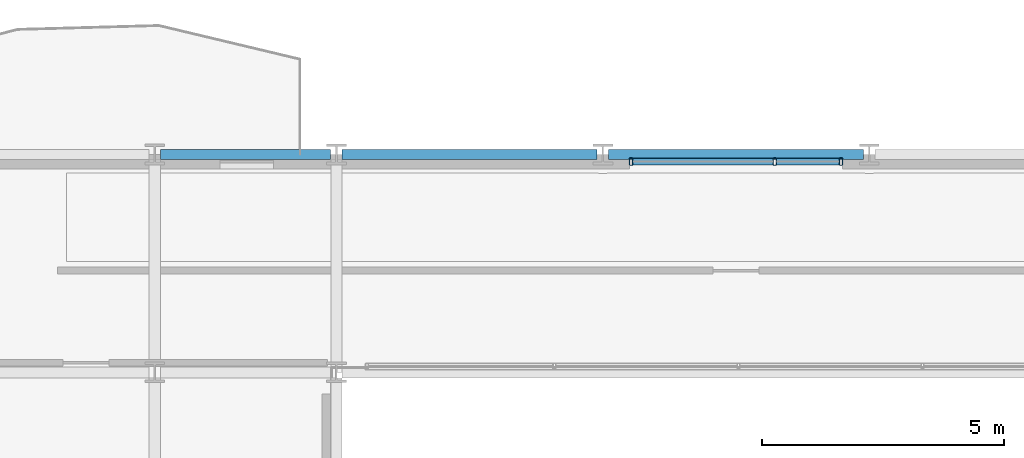
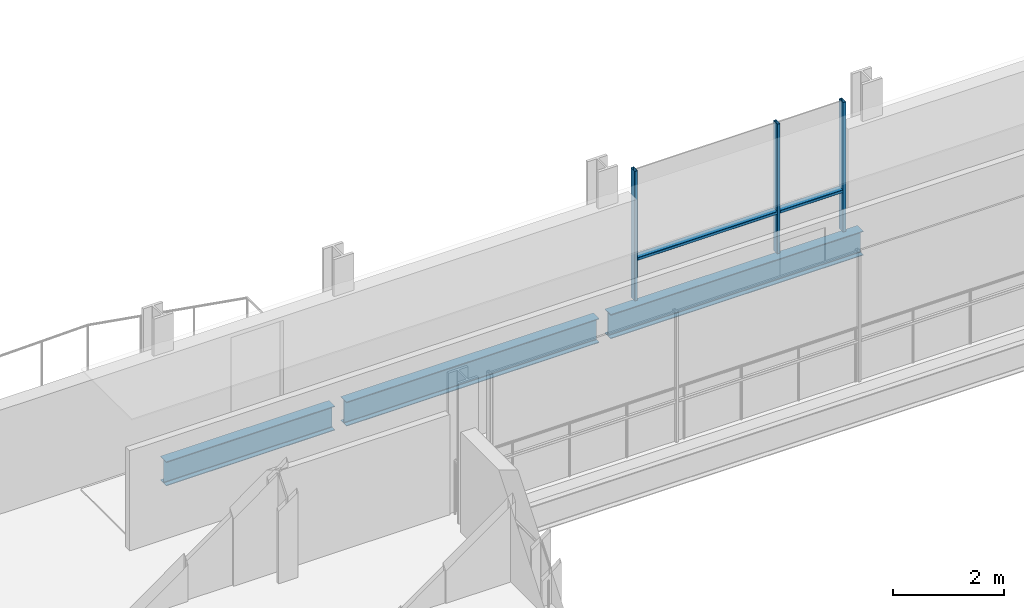
# One storey, part 22 of 40: 5 members, 3 beams, 1 element without a shape of its own.
"""IFC4 building model written with IfcOpenShell, lengths in metres."""

from ifc_helpers import new_model, si_unit, direction, frame, origin, origin_2d, place, context, subcontext, project, spatial, hollow_rectangle, i_section, extrude, material, layer, layer_set, material_profile, profile_set, type_object, element, aggregate, save


model = new_model("IFC4")

# Units and contexts
model_context = context("Model", 3, precision=1e-05, world=origin(), true_north=direction((0.0, 1.0)))
body_context = subcontext(model_context, "Body", "Model", "MODEL_VIEW")
ifc_project = project(units=[si_unit("LENGTHUNIT", "METRE"), si_unit("AREAUNIT", "SQUARE_METRE"), si_unit("VOLUMEUNIT", "CUBIC_METRE"), si_unit("PLANEANGLEUNIT", "RADIAN"), si_unit("MASSUNIT", "GRAM", prefix="KILO")], contexts=[model_context])

# Site, building, storey
site_placement = place(None, origin())
site = spatial("IfcSite", under=ifc_project, at=site_placement, CompositionType="ELEMENT")
building_placement = place(site_placement, origin())
building = spatial("IfcBuilding", under=site, at=building_placement, Name="Brevholm Reach", CompositionType="ELEMENT")
storey_placement = place(building_placement, frame((0.0, 0.0, 131.39990234375)))
storey = spatial("IfcBuildingStorey", under=building, at=storey_placement, Name="L39", CompositionType="ELEMENT", Elevation=131.39990234375)

# Beams
ifc_material_1 = material(Name="Structural Steel S355J2", Category="steel")
ifc_material_profile_1 = material_profile(ifc_material_1, i_section(OverallWidth=0.209228515625, OverallDepth=0.533203125, WebThickness=0.010009765625, FlangeThickness=0.015625, FilletRadius=0.0126953125, at=origin_2d()), Name="UKB 533x210x92")
ifc_profile_set_1 = profile_set([ifc_material_profile_1], Name="Structural Steel S355J2")
beam_type = type_object("IfcBeamType", Name="BM-SP533", PredefinedType="SPANDREL", material=ifc_profile_set_1)
beam_placement = place(storey_placement, frame((18.1201171875, 31.0, -0.486572265625), z_axis=(1.0, 0.0, 0.0), x_axis=(0.0, 1.0, 0.0)))
element("IfcBeam", 1, at=beam_placement, inside=storey, type_object=beam_type, Name="L39 SP-02 Framing Beam", PredefinedType="SPANDREL", context=body_context, shape_type="SweptSolid", body=[
    extrude(i_section(OverallWidth=0.209228515625, OverallDepth=0.533203125, WebThickness=0.010009765625, FlangeThickness=0.015625, FilletRadius=0.0126953125, at=origin_2d()), origin(), (0.0, 0.0, 1.0), 3.509765625),
])
for number, where, z_axis, x_axis, name in (
    (2, (21.8701171875, 31.0, -0.486572265625), (1.0, 0.0, 0.0), (0.0, 1.0, 0.0), "L39 SP-02 Framing Beam"),
    (3, (27.3701171875, 31.0, -0.486572265625), (1.0, 0.0, 0.0), (0.0, 1.0, 0.0), "L39 SP-02 Framing Beam"),
):
    element("IfcBeam", number, at=place(storey_placement, frame(where, z_axis=z_axis, x_axis=x_axis)), inside=storey, type_object=beam_type, Name=name, PredefinedType="SPANDREL", context=body_context, shape_type="SweptSolid", body=[
        extrude(i_section(OverallWidth=0.209228515625, OverallDepth=0.533203125, WebThickness=0.010009765625, FlangeThickness=0.015625, FilletRadius=0.0126953125, at=origin_2d()), origin(), (0.0, 0.0, 1.0), 5.259765625),
    ])

# Curtain wall, members
ifc_material_2 = material(Name="Dark Anodised Aluminium 6063-T6 and Solar-Control Glass", Category="aluminium")
ifc_layer = layer(ifc_material_2, 0.14990234375)
ifc_layer_set = layer_set([ifc_layer], Name="Dark Anodised Aluminium 6063-T6 and Solar-Control Glass")
curtain_wall_type = type_object("IfcCurtainWallType", Name="CW-01", PredefinedType="NOTDEFINED", material=ifc_layer_set)
curtain_wall_placement = place(storey_placement, origin())
curtain_wall = element("IfcCurtainWall", 4, at=curtain_wall_placement, inside=storey, type_object=curtain_wall_type, Name="L39 Curtain Wall CW-01", PredefinedType="NOTDEFINED")
ifc_material_3 = material(Name="Dark Anodised Aluminium 6063-T6", Category="aluminium")
ifc_material_profile_2 = material_profile(ifc_material_3, hollow_rectangle(XDim=0.06494140625, YDim=0.14990234375, WallThickness=0.0048828125, InnerFilletRadius=0.0048828125, OuterFilletRadius=0.010009765625, at=origin_2d()), Name="RHS 150x65x5")
ifc_profile_set_2 = profile_set([ifc_material_profile_2], Name="Dark Anodised Aluminium 6063-T6")
member_type_1 = type_object("IfcMemberType", Name="CWM-150", PredefinedType="MULLION", material=ifc_profile_set_2)
member_1_placement = place(storey_placement, frame((27.83251953125, 30.85009765625, 0.0), z_axis=(0.0, 0.0, 1.0), x_axis=(1.0, 0.0, 0.0)))
member_1 = element("IfcMember", 5, at=member_1_placement, type_object=member_type_1, Name="CM-150 Mullion 1", PredefinedType="MULLION", context=body_context, shape_type="SweptSolid", body=[
    extrude(hollow_rectangle(XDim=0.06494140625, YDim=0.14990234375, WallThickness=0.0048828125, InnerFilletRadius=0.0048828125, OuterFilletRadius=0.010009765625, at=origin_2d()), origin(), (0.0, 0.0, 1.0), 2.85009765625),
])
member_2_placement = place(storey_placement, frame((30.800048828125, 30.85009765625, 0.0), z_axis=(0.0, 0.0, 1.0), x_axis=(1.0, 0.0, 0.0)))
member_2 = element("IfcMember", 6, at=member_2_placement, type_object=member_type_1, Name="CM-150 Mullion 2", PredefinedType="MULLION", context=body_context, shape_type="SweptSolid", body=[
    extrude(hollow_rectangle(XDim=0.06494140625, YDim=0.14990234375, WallThickness=0.0048828125, InnerFilletRadius=0.0048828125, OuterFilletRadius=0.010009765625, at=origin_2d()), origin(), (0.0, 0.0, 1.0), 2.85009765625),
])
member_3_placement = place(storey_placement, frame((32.16748046875, 30.85009765625, 0.0), z_axis=(0.0, 0.0, 1.0), x_axis=(1.0, 0.0, 0.0)))
member_3 = element("IfcMember", 7, at=member_3_placement, type_object=member_type_1, Name="CM-150 Mullion 3", PredefinedType="MULLION", context=body_context, shape_type="SweptSolid", body=[
    extrude(hollow_rectangle(XDim=0.06494140625, YDim=0.14990234375, WallThickness=0.0048828125, InnerFilletRadius=0.0048828125, OuterFilletRadius=0.010009765625, at=origin_2d()), origin(), (0.0, 0.0, 1.0), 2.85009765625),
])
ifc_material_4 = material(Name="Dark Anodised Aluminium 6063-T6", Category="aluminium")
ifc_material_profile_3 = material_profile(ifc_material_4, hollow_rectangle(XDim=0.06494140625, YDim=0.14990234375, WallThickness=0.0048828125, InnerFilletRadius=0.0048828125, OuterFilletRadius=0.010009765625, at=origin_2d()), Name="RHS 150x65x5")
ifc_profile_set_3 = profile_set([ifc_material_profile_3], Name="Dark Anodised Aluminium 6063-T6")
member_type_2 = type_object("IfcMemberType", Name="CWT-150", PredefinedType="NOTDEFINED", material=ifc_profile_set_3)
member_4_placement = place(storey_placement, frame((27.864990234375, 30.85009765625, 0.900146484375), z_axis=(1.0, 0.0, 0.0), x_axis=(0.0, 0.0, 1.0)))
member_4 = element("IfcMember", 8, at=member_4_placement, type_object=member_type_2, Name="CT-150 Transom 1.1", ObjectType="TRANSOM", PredefinedType="USERDEFINED", context=body_context, shape_type="SweptSolid", body=[
    extrude(hollow_rectangle(XDim=0.06494140625, YDim=0.14990234375, WallThickness=0.0048828125, InnerFilletRadius=0.0048828125, OuterFilletRadius=0.010009765625, at=origin_2d()), origin(), (0.0, 0.0, 1.0), 2.902587890625),
])
member_5_placement = place(storey_placement, frame((30.83251953125, 30.85009765625, 0.900146484375), z_axis=(1.0, 0.0, 0.0), x_axis=(0.0, 0.0, 1.0)))
member_5 = element("IfcMember", 9, at=member_5_placement, type_object=member_type_2, Name="CT-150 Transom 2.1", ObjectType="TRANSOM", PredefinedType="USERDEFINED", context=body_context, shape_type="SweptSolid", body=[
    extrude(hollow_rectangle(XDim=0.06494140625, YDim=0.14990234375, WallThickness=0.0048828125, InnerFilletRadius=0.0048828125, OuterFilletRadius=0.010009765625, at=origin_2d()), origin(), (0.0, 0.0, 1.0), 1.302490234375),
])
aggregate(curtain_wall, [member_1, member_2, member_3, member_4, member_5])

save(model, "model.ifc")
